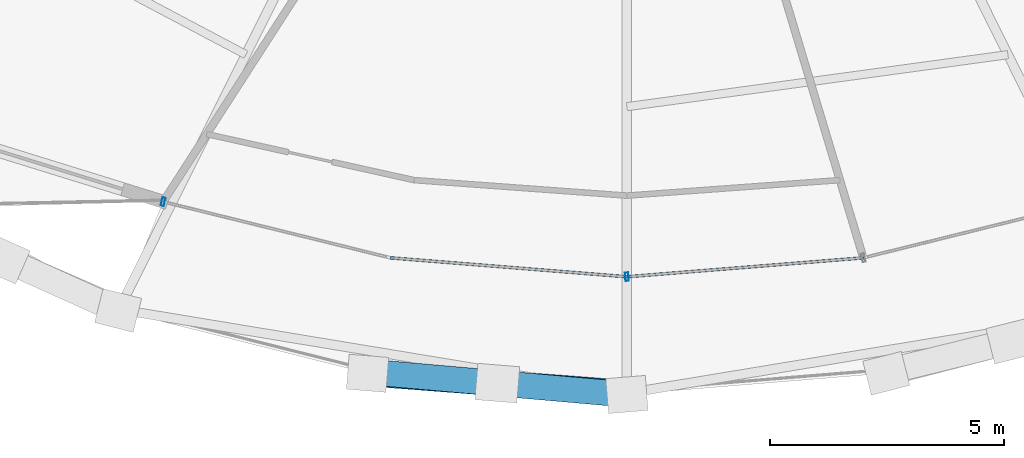
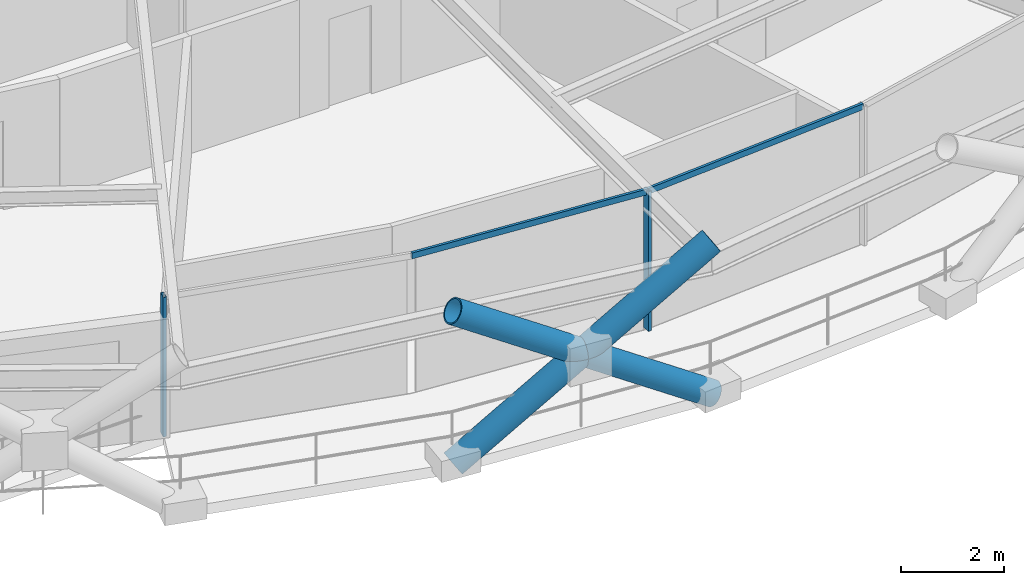
# One storey, part 2 of 21: 7 members, 1 element without a shape of its own.
"""IFC4 building model written with IfcOpenShell, lengths in metres."""

from ifc_helpers import new_model, si_unit, direction, frame, origin, origin_2d, place, context, subcontext, project, spatial, hollow_rectangle, hollow_circle, extrude, material, layer, layer_set, material_profile, profile_set, type_object, element, aggregate, save


model = new_model("IFC4")

# Units and contexts
model_context = context("Model", 3, precision=1e-05, world=origin(), true_north=direction((0.0, 1.0)))
body_context = subcontext(model_context, "Body", "Model", "MODEL_VIEW")
ifc_project = project(units=[si_unit("LENGTHUNIT", "METRE"), si_unit("AREAUNIT", "SQUARE_METRE"), si_unit("VOLUMEUNIT", "CUBIC_METRE"), si_unit("PLANEANGLEUNIT", "RADIAN"), si_unit("MASSUNIT", "GRAM", prefix="KILO")], contexts=[model_context])

# Site, building, storey
site_placement = place(None, origin())
site = spatial("IfcSite", under=ifc_project, at=site_placement, CompositionType="ELEMENT")
building_placement = place(site_placement, origin())
building = spatial("IfcBuilding", under=site, at=building_placement, Name="Veldorina Hangang Commons", CompositionType="ELEMENT")
storey_placement = place(building_placement, frame((0.0, 0.0, 138.800048828125)))
storey = spatial("IfcBuildingStorey", under=building, at=storey_placement, Name="L35", CompositionType="ELEMENT", Elevation=138.800048828125)

# Curtain wall, members
ifc_material_1 = material(Name="Glass Low-E Triple IGU", Category="glass")
ifc_layer = layer(ifc_material_1, 0.179931640625)
ifc_layer_set = layer_set([ifc_layer], Name="Glass Low-E Triple IGU")
curtain_wall_type = type_object("IfcCurtainWallType", Name="CW-SYS-Z2", PredefinedType="NOTDEFINED", material=ifc_layer_set)
curtain_wall_placement = place(storey_placement, origin())
curtain_wall = element("IfcCurtainWall", 1, at=curtain_wall_placement, inside=storey, type_object=curtain_wall_type, Name="L35 unitised curtain wall CW-L35-R1", PredefinedType="NOTDEFINED")
ifc_material_2 = material(Name="Aluminium Anodized AA6063-T6", Category="aluminium")
ifc_material_profile_1 = material_profile(ifc_material_2, hollow_rectangle(XDim=0.070068359375, YDim=0.179931640625, WallThickness=0.00390625, at=origin_2d()), Name="ALU-RHS-180x70x4")
ifc_profile_set_1 = profile_set([ifc_material_profile_1], Name="Aluminium Anodized AA6063-T6")
member_type_1 = type_object("IfcMemberType", Name="CW-MUL-180", PredefinedType="MULLION", material=ifc_profile_set_1)
member_1_placement = place(storey_placement, frame((22.07373046875, 4.50537109375, 0.0), z_axis=(0.0, 0.0, 1.0), x_axis=(0.970875593344, -0.239584186139, 0.0)))
member_1 = element("IfcMember", 2, at=member_1_placement, type_object=member_type_1, Name="CW-L35-R1 vertical mullion 1", PredefinedType="MULLION", context=body_context, shape_type="SweptSolid", body=[
    extrude(hollow_rectangle(XDim=0.070068359375, YDim=0.179931640625, WallThickness=0.00390625, at=origin_2d()), origin(), (0.0, 0.0, 1.0), 3.31005859375),
])
member_2_placement = place(storey_placement, frame((32.0, 2.899169921875, 0.0), z_axis=(0.0, 0.0, 1.0), x_axis=(0.996806812434, 0.079850977983, 0.0)))
member_2 = element("IfcMember", 3, at=member_2_placement, type_object=member_type_1, Name="CW-L35-R1 vertical mullion 2", PredefinedType="MULLION", context=body_context, shape_type="SweptSolid", body=[
    extrude(hollow_rectangle(XDim=0.070068359375, YDim=0.179931640625, WallThickness=0.00390625, at=origin_2d()), origin(), (0.0, 0.0, 1.0), 3.31005859375),
])
ifc_material_profile_2 = material_profile(ifc_material_2, hollow_rectangle(XDim=0.06005859375, YDim=0.139892578125, WallThickness=0.00341796875, at=origin_2d()), Name="ALU-RHS-140x60x3.5")
ifc_profile_set_2 = profile_set([ifc_material_profile_2], Name="Aluminium Anodized AA6063-T6")
member_type_2 = type_object("IfcMemberType", Name="CW-TRN-140", PredefinedType="USERDEFINED", material=ifc_profile_set_2)
member_3_placement = place(storey_placement, frame((26.939697265625, 3.3046875, 3.27001953125), z_axis=(0.996804412264, -0.07988093447, 0.0), x_axis=(0.07988093447, 0.996804412264, 0.0)))
member_3 = element("IfcMember", 4, at=member_3_placement, type_object=member_type_2, Name="CW-L35-R1 facet 2 transom 1", ObjectType="TRANSOM", PredefinedType="USERDEFINED", context=body_context, shape_type="SweptSolid", body=[
    extrude(hollow_rectangle(XDim=0.06005859375, YDim=0.139892578125, WallThickness=0.00341796875, at=origin_2d()), origin(), (0.0, 0.0, 1.0), 5.076416015625),
])
member_4_placement = place(storey_placement, frame((32.0, 2.899169921875, 3.27001953125), z_axis=(0.996804412264, 0.07988093447, 0.0), x_axis=(-0.07988093447, 0.996804412264, 0.0)))
member_4 = element("IfcMember", 5, at=member_4_placement, type_object=member_type_2, Name="CW-L35-R1 facet 3 transom 1", ObjectType="TRANSOM", PredefinedType="USERDEFINED", context=body_context, shape_type="SweptSolid", body=[
    extrude(hollow_rectangle(XDim=0.06005859375, YDim=0.139892578125, WallThickness=0.00341796875, at=origin_2d()), origin(), (0.0, 0.0, 1.0), 5.076416015625),
])
aggregate(curtain_wall, [member_1, member_2, member_3, member_4])

# Members
ifc_material_3 = material(Name="Steel SM420-TMC", Category="steel")
ifc_material_profile_3 = material_profile(ifc_material_3, hollow_circle(Radius=0.27490234375, WallThickness=0.028076171875, at=origin_2d()), Name="CHS-550x28")
ifc_profile_set_3 = profile_set([ifc_material_profile_3], Name="Steel SM420-TMC")
member_type_3 = type_object("IfcMemberType", Name="DG-CHS550", PredefinedType="BRACE", material=ifc_profile_set_3)
member_5_placement = place(storey_placement, frame((26.447998046875, 0.8330078125, 0.0), z_axis=(0.837348997778, -0.063847815054, 0.542927354656), x_axis=(0.076029246281, 0.997105588045, 0.0)))
element("IfcMember", 6, at=member_5_placement, inside=storey, type_object=member_type_3, Name="L35 continuous perimeter diagrid brace 23", PredefinedType="BRACE", context=body_context, shape_type="SweptSolid", body=[
    extrude(hollow_circle(Radius=0.27490234375, WallThickness=0.028076171875, at=origin_2d()), origin(), (0.0, 0.0, 1.0), 6.63037109375),
])
member_6_placement = place(storey_placement, frame((32.0, 0.379150390625, 0.0), z_axis=(-0.836432664859, 0.072960546684, 0.543191638177), x_axis=(-0.086898269155, -0.996217190585, 0.0)))
element("IfcMember", 7, at=member_6_placement, inside=storey, type_object=member_type_3, Name="L35 split perimeter diagrid lower brace 24", PredefinedType="BRACE", context=body_context, shape_type="SweptSolid", body=[
    extrude(hollow_circle(Radius=0.27490234375, WallThickness=0.028076171875, at=origin_2d()), origin(), (0.0, 0.0, 1.0), 3.316162109375),
])
member_7_placement = place(storey_placement, frame((29.226318359375, 0.62109375, 1.80126953125), z_axis=(-0.836446792609, 0.073064677962, 0.543155885514), x_axis=(-0.087019895521, -0.996206573851, 0.0)))
element("IfcMember", 8, at=member_7_placement, inside=storey, type_object=member_type_3, Name="L35 split perimeter diagrid upper brace 24", PredefinedType="BRACE", context=body_context, shape_type="SweptSolid", body=[
    extrude(hollow_circle(Radius=0.27490234375, WallThickness=0.028076171875, at=origin_2d()), origin(), (0.0, 0.0, 1.0), 3.311279296875),
])

save(model, "model.ifc")
